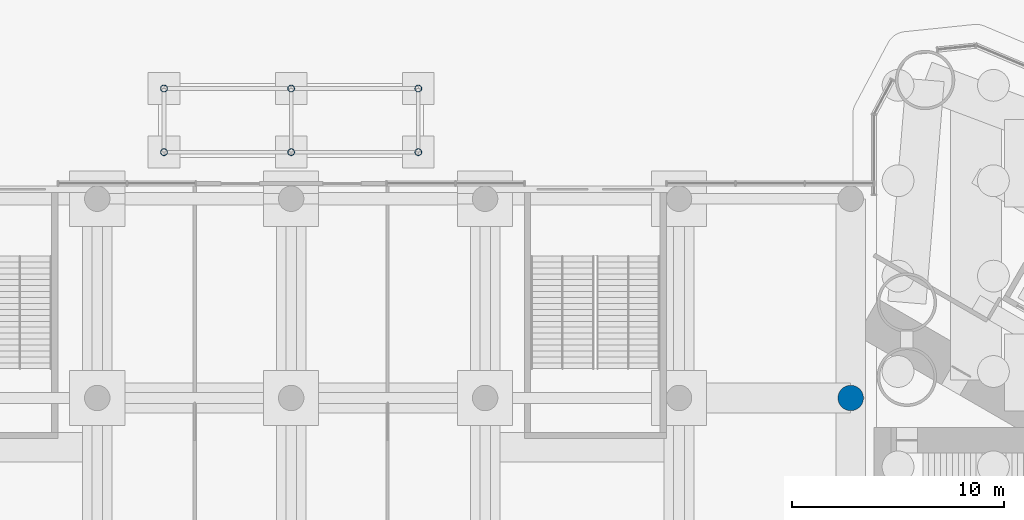
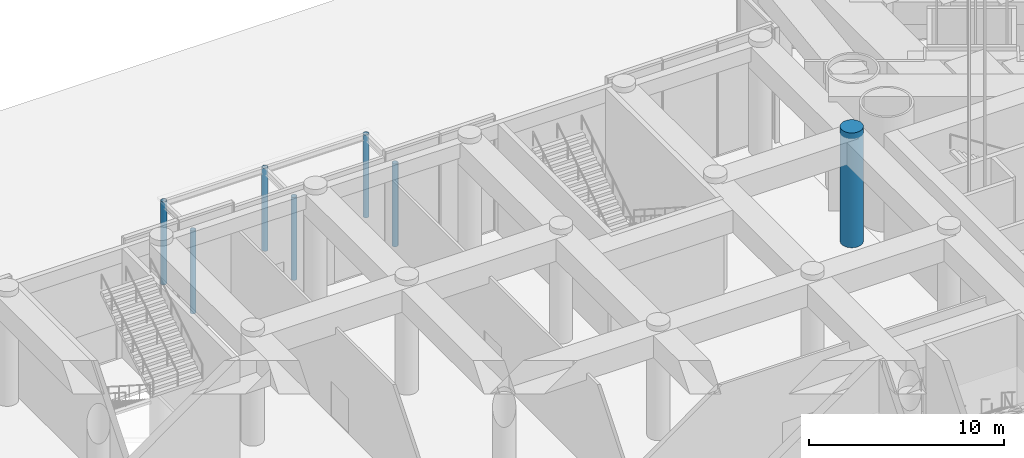
# One storey, part 5 of 43: 7 columns.
"""IFC4 building model written with IfcOpenShell, lengths in metres."""

import ifcopenshell
import ifcopenshell.guid

model = None  # the IFC model being written
_history = None  # IfcOwnerHistory: only IFC2X3 demands one
_inside = {}  # id of a spatial element -> (the spatial element, [elements in it])
_under = {}  # id of a project, library or spatial element -> (it, [spatial elements below it])
_declared = {}  # id of a project -> (the project, [libraries it declares])
_typed = {}  # id of a type object -> (the type object, [elements of that type])
_made_of = {}  # id of a material, layer set ... -> (it, [elements and type objects made of it])


def new_model(schema):
    """Start an empty IFC model of exactly this schema.

    Asked for "IFC4X3", IfcOpenShell would pick the latest addendum, in which some entities
    have other attributes; the version numbers below select the first issue.
    IFC2X3 requires an IfcOwnerHistory on every rooted entity: one is made here for all.
    """
    global model, _history
    if schema == "IFC4X3":
        model = ifcopenshell.file(schema_version=(4, 3, 0, 0))
    else:
        model = ifcopenshell.file(schema=schema)
    _inside.clear()
    _under.clear()
    _declared.clear()
    _typed.clear()
    _made_of.clear()
    _history = None
    if model.schema == "IFC2X3":
        org = make("IfcOrganization", Name="unknown")
        user = make(
            "IfcPersonAndOrganization",
            ThePerson=make("IfcPerson", FamilyName="unknown"),
            TheOrganization=org,
        )
        app = make(
            "IfcApplication",
            ApplicationDeveloper=org,
            Version="unknown",
            ApplicationFullName="unknown",
            ApplicationIdentifier="unknown",
        )
        _history = make(
            "IfcOwnerHistory",
            OwningUser=user,
            OwningApplication=app,
            ChangeAction="ADDED",
            CreationDate=0,
        )
    return model


def make(cls, **values):
    """One entity of the class cls with the attributes given. An attribute that is None is left unset."""
    return model.create_entity(
        cls, **{name: value for name, value in values.items() if value is not None}
    )


def rooted(cls, **values):
    """An entity with a GlobalId (a new one), such as an element, a storey or a relation."""
    return make(cls, GlobalId=ifcopenshell.guid.new(), OwnerHistory=_history, **values)


def si_unit(unit_type, name, prefix=None):
    """IfcSIUnit, for example si_unit("LENGTHUNIT", "METRE", prefix="MILLI")."""
    return make("IfcSIUnit", UnitType=unit_type, Prefix=prefix, Name=name)


def assignment(units):
    """IfcUnitAssignment: the units of a project."""
    return None if units is None else make("IfcUnitAssignment", Units=units)


def point(xyz):
    """IfcCartesianPoint."""
    return None if xyz is None else make("IfcCartesianPoint", Coordinates=xyz)


def direction(xyz):
    """IfcDirection."""
    return None if xyz is None else make("IfcDirection", DirectionRatios=xyz)


def frame(location, z_axis=None, x_axis=None):
    """IfcAxis2Placement3D, a coordinate frame: its origin and axes. An axis left out is left unset."""
    return make(
        "IfcAxis2Placement3D",
        Location=point(location),
        Axis=direction(z_axis),
        RefDirection=direction(x_axis),
    )


def frame_2d(location, x_axis=None):
    """IfcAxis2Placement2D, a coordinate frame in the plane: its origin and x axis."""
    return make(
        "IfcAxis2Placement2D", Location=point(location), RefDirection=direction(x_axis)
    )


def origin():
    """The frame at (0, 0, 0) with its axes left unset."""
    return frame((0.0, 0.0, 0.0))


def origin_2d():
    """The frame at (0, 0) in the plane with its x axis left unset."""
    return frame_2d((0.0, 0.0))


def place(relative_to, where):
    """IfcLocalPlacement: puts the frame where relative to a parent placement (None: the world)."""
    return make(
        "IfcLocalPlacement", PlacementRelTo=relative_to, RelativePlacement=where
    )


def context(
    kind, dimensions, precision=None, world=None, true_north=None, identifier=None
):
    """IfcGeometricRepresentationContext, for example the 3D "Model" context."""
    return make(
        "IfcGeometricRepresentationContext",
        ContextIdentifier=identifier,
        ContextType=kind,
        CoordinateSpaceDimension=dimensions,
        Precision=precision,
        WorldCoordinateSystem=world,
        TrueNorth=true_north,
    )


def subcontext(parent, identifier, kind, view, scale=None):
    """IfcGeometricRepresentationSubContext, for example "Body" below "Model"."""
    return make(
        "IfcGeometricRepresentationSubContext",
        ContextIdentifier=identifier,
        ContextType=kind,
        ParentContext=parent,
        TargetScale=scale,
        TargetView=view,
    )


def project(units=None, contexts=None):
    """IfcProject with its units and contexts."""
    return rooted(
        "IfcProject",
        Name="project",
        RepresentationContexts=contexts,
        UnitsInContext=assignment(units),
    )


def spatial(cls, under=None, at=None, **own):
    """A site, building, storey or space (cls), placed at a placement, below another one or the project."""
    s = rooted(cls, ObjectPlacement=at, **own)
    if under is not None:
        _under.setdefault(under.id(), (under, []))[1].append(s)
    return s


def profile(cls, at=None, kind="AREA", **sizes):
    """A parametric profile (cls). Its sizes go by their IFC names, for example OverallWidth=200.0."""
    return make(cls, ProfileType=kind, Position=at, **sizes)


def circle(**sizes):
    """IfcCircleProfileDef."""
    return profile("IfcCircleProfileDef", **sizes)


def hollow_circle(**sizes):
    """IfcCircleHollowProfileDef."""
    return profile("IfcCircleHollowProfileDef", **sizes)


def extrude(swept, where, along, depth):
    """IfcExtrudedAreaSolid: the profile swept, set in the frame where, extruded along a direction by depth."""
    return make(
        "IfcExtrudedAreaSolid",
        SweptArea=swept,
        Position=where,
        ExtrudedDirection=direction(along),
        Depth=depth,
    )


def shape(context_of_items, identifier, shape_type, items):
    """IfcShapeRepresentation: the items that make up one representation, for example the "Body"."""
    return make(
        "IfcShapeRepresentation",
        ContextOfItems=context_of_items,
        RepresentationIdentifier=identifier,
        RepresentationType=shape_type,
        Items=items,
    )


def material(Name=None, Category=None):
    """IfcMaterial."""
    return make("IfcMaterial", Name=Name, Category=Category)


def material_profile(
    of_material, cross_section, Name=None, Category=None, Priority=None
):
    """IfcMaterialProfile: a cross section and its material."""
    return make(
        "IfcMaterialProfile",
        Name=Name,
        Material=of_material,
        Profile=cross_section,
        Priority=Priority,
        Category=Category,
    )


def profile_set(profiles, Name=None, composite=None):
    """IfcMaterialProfileSet."""
    return make(
        "IfcMaterialProfileSet",
        Name=Name,
        MaterialProfiles=profiles,
        CompositeProfile=composite,
    )


def made_of(thing, what):
    """Note that an element or type object is made of a material, layer set ...; save() writes the relation."""
    if what is not None:
        _made_of.setdefault(what.id(), (what, []))[1].append(thing)
    return thing


def type_object(cls, material=None, **own):
    """A type object (cls), such as IfcWallType, which elements share."""
    return made_of(rooted(cls, **own), material)


def element(
    cls,
    number,
    at=None,
    inside=None,
    cuts=None,
    type_object=None,
    material=None,
    context=None,
    identifier="Body",
    shape_type=None,
    held_by="IfcProductDefinitionShape",
    body=None,
    shapes=None,
    **own,
):
    """One element of the class cls, such as IfcWall. Its Tag is "e" and its number.

    at: its placement. inside: the storey or other place that contains it. cuts: it is an
    opening in that element (IfcRelVoidsElement). A single representation is given by context,
    identifier, shape_type and body (its items); several are given by shapes. held_by: the class
    of the entity that holds the representations. save() writes the other relations.
    """
    e = rooted(cls, Tag="e%d" % number, ObjectPlacement=at, **own)
    if body is not None:
        shapes = [shape(context, identifier, shape_type, body)]
    if shapes is not None:
        e.Representation = make(held_by, Representations=shapes)
    if inside is not None:
        _inside.setdefault(inside.id(), (inside, []))[1].append(e)
    if cuts is not None:
        rooted(
            "IfcRelVoidsElement", RelatingBuildingElement=cuts, RelatedOpeningElement=e
        )
    if type_object is not None:
        _typed.setdefault(type_object.id(), (type_object, []))[1].append(e)
    return made_of(e, material)


def aggregate(whole, parts):
    """IfcRelAggregates: a whole, such as a stair, and the parts it consists of."""
    return rooted("IfcRelAggregates", RelatingObject=whole, RelatedObjects=parts)


def save(model, path):
    """Write the relations noted so far, then the file.

    IfcRelAggregates (storeys below a building ...), IfcRelContainedInSpatialStructure (elements
    in a storey), IfcRelDefinesByType, IfcRelAssociatesMaterial and IfcRelDeclares: one each for
    every whole, place, type object, material and project.
    """
    for whole, parts in _under.values():
        aggregate(whole, parts)
    for where, things in _inside.values():
        rooted(
            "IfcRelContainedInSpatialStructure",
            RelatedElements=things,
            RelatingStructure=where,
        )
    for kind, things in _typed.values():
        rooted("IfcRelDefinesByType", RelatedObjects=things, RelatingType=kind)
    for what, things in _made_of.values():
        rooted("IfcRelAssociatesMaterial", RelatedObjects=things, RelatingMaterial=what)
    for by, libraries in _declared.values():
        rooted("IfcRelDeclares", RelatingContext=by, RelatedDefinitions=libraries)
    model.write(path)


model = new_model("IFC4")

# Units and contexts
model_context = context("Model", 3, precision=1e-05, world=origin(), true_north=direction((0.0, 1.0)))
body_context = subcontext(model_context, "Body", "Model", "MODEL_VIEW")
ifc_project = project(units=[si_unit("LENGTHUNIT", "METRE"), si_unit("AREAUNIT", "SQUARE_METRE"), si_unit("VOLUMEUNIT", "CUBIC_METRE"), si_unit("PLANEANGLEUNIT", "RADIAN"), si_unit("MASSUNIT", "GRAM", prefix="KILO")], contexts=[model_context])

# Site, building, storey
site_placement = place(None, origin())
site = spatial("IfcSite", under=ifc_project, at=site_placement, CompositionType="ELEMENT")
building_placement = place(site_placement, origin())
building = spatial("IfcBuilding", under=site, at=building_placement, Name="Lancet Gate Hotel", CompositionType="ELEMENT")
storey_placement = place(building_placement, origin())
storey = spatial("IfcBuildingStorey", under=building, at=storey_placement, Name="L00", CompositionType="ELEMENT", Elevation=0.0)

# Columns
ifc_material_1 = material(Name="Steel S355", Category="steel")
ifc_material_profile_1 = material_profile(ifc_material_1, hollow_circle(Radius=0.161865234375, WallThickness=0.012451171875, at=origin_2d()), Name="CHS 323.9x12.5")
ifc_profile_set_1 = profile_set([ifc_material_profile_1], Name="Steel S355")
column_type_1 = type_object("IfcColumnType", Name="Canopy post CHS 323.9x12.5", PredefinedType="COLUMN", material=ifc_profile_set_1)
for number, where, z_axis, x_axis, name in (
    (1, (-6.0, 21.60009765625, -0.14990234375), (0.0, 0.0, 1.0), (1.0, 0.0, 0.0), "Canopy post N1A"),
    (2, (-6.0, 24.60009765625, -0.14990234375), (0.0, 0.0, 1.0), (1.0, 0.0, 0.0), "Canopy post N1B"),
    (3, (0.0, 21.60009765625, -0.14990234375), (0.0, 0.0, 1.0), (1.0, 0.0, 0.0), "Canopy post N2A"),
    (4, (0.0, 24.60009765625, -0.14990234375), (0.0, 0.0, 1.0), (1.0, 0.0, 0.0), "Canopy post N2B"),
    (5, (6.0, 21.60009765625, -0.14990234375), (0.0, 0.0, 1.0), (1.0, 0.0, 0.0), "Canopy post N3A"),
    (6, (6.0, 24.60009765625, -0.14990234375), (0.0, 0.0, 1.0), (1.0, 0.0, 0.0), "Canopy post N3B"),
):
    element("IfcColumn", number, at=place(storey_placement, frame(where, z_axis=z_axis, x_axis=x_axis)), inside=storey, type_object=column_type_1, Name=name, PredefinedType="COLUMN", context=body_context, shape_type="SweptSolid", body=[
        extrude(hollow_circle(Radius=0.161865234375, WallThickness=0.012451171875, at=origin_2d()), origin(), (0.0, 0.0, 1.0), 5.199951171875),
    ])
ifc_material_2 = material(Name="Concrete C60/75", Category="concrete")
ifc_material_profile_2 = material_profile(ifc_material_2, circle(Radius=0.60009765625, at=origin_2d()), Name="RC D1200")
ifc_profile_set_2 = profile_set([ifc_material_profile_2], Name="Concrete C60/75")
column_type_2 = type_object("IfcColumnType", Name="Podium column RC D1200", PredefinedType="COLUMN", material=ifc_profile_set_2)
column_placement = place(storey_placement, frame((26.39990234375, 10.0, 0.0), z_axis=(0.0, 0.0, 1.0), x_axis=(1.0, 0.0, 0.0)))
element("IfcColumn", 7, at=column_placement, inside=storey, type_object=column_type_2, Name="Podium column 7D L00", PredefinedType="COLUMN", context=body_context, shape_type="SweptSolid", body=[
    extrude(circle(Radius=0.60009765625, at=origin_2d()), origin(), (0.0, 0.0, 1.0), 7.199951171875),
])

save(model, "model.ifc")
